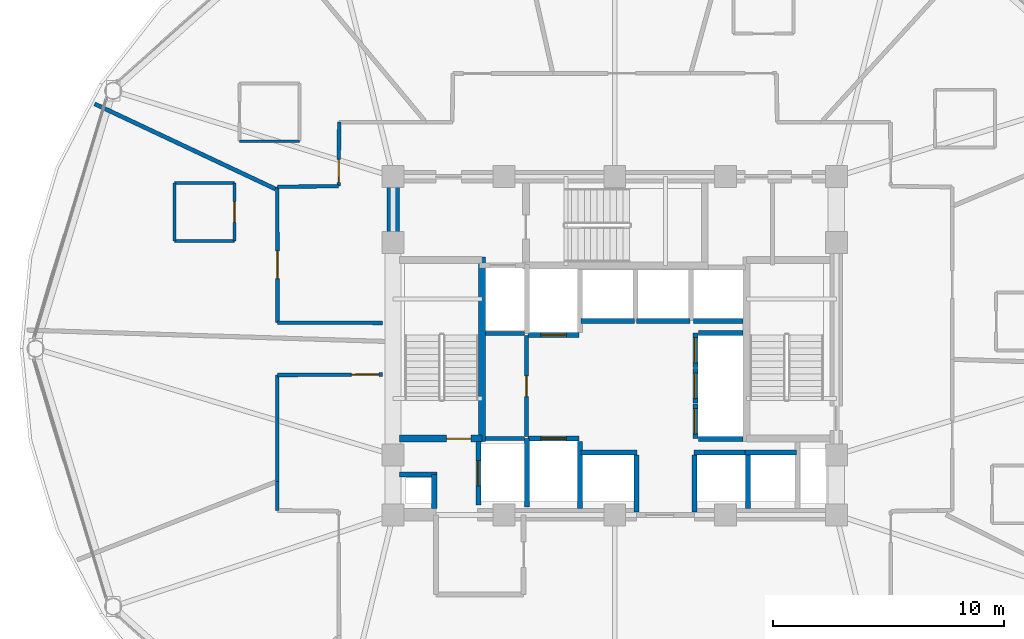
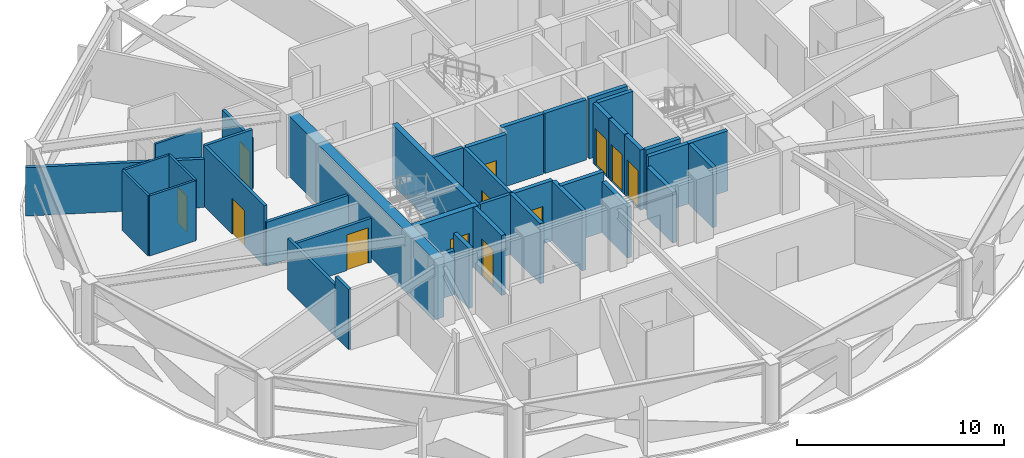
# One storey, part 24 of 30: 40 walls, 12 doors, 12 openings.
"""IFC4 building model written with IfcOpenShell, lengths in metres."""

from ifc_helpers import new_model, si_unit, direction, frame, frame_2d, origin, place, context, subcontext, project, spatial, rectangle, extrude, material, layer, layer_set, type_object, element, fill, save


model = new_model("IFC4")

# Units and contexts
model_context = context("Model", 3, precision=1e-05, world=origin(), true_north=direction((0.0, 1.0)))
body_context = subcontext(model_context, "Body", "Model", "MODEL_VIEW")
ifc_project = project(units=[si_unit("LENGTHUNIT", "METRE"), si_unit("AREAUNIT", "SQUARE_METRE"), si_unit("VOLUMEUNIT", "CUBIC_METRE"), si_unit("PLANEANGLEUNIT", "RADIAN"), si_unit("MASSUNIT", "GRAM", prefix="KILO")], contexts=[model_context])

# Site, building, storey
site_placement = place(None, origin())
site = spatial("IfcSite", under=ifc_project, at=site_placement, CompositionType="ELEMENT")
building_placement = place(site_placement, origin())
building = spatial("IfcBuilding", under=site, at=building_placement, Name="Vantalir Tower", CompositionType="ELEMENT")
storey_placement = place(building_placement, frame((0.0, 0.0, 130.949951171875)))
storey = spatial("IfcBuildingStorey", under=building, at=storey_placement, Name="L32", CompositionType="ELEMENT", Elevation=130.949951171875)

# Walls
ifc_material_1 = material(Name="Moisture-resistant en-suite partition", Category="gypsum")
ifc_layer_1 = layer(ifc_material_1, 0.125)
ifc_layer_set_1 = layer_set([ifc_layer_1], Name="Moisture-resistant en-suite partition")
wall_type_1 = type_object("IfcWallType", Name="WL-BATH-125", PredefinedType="PARTITIONING", material=ifc_layer_set_1)
wall_1_placement = place(storey_placement, frame((15.239990234375, 33.988037109375, 0.0), z_axis=(0.0, 0.0, 1.0), x_axis=(1.0, 0.0, 0.0)))
element("IfcWall", 1, at=wall_1_placement, inside=storey, type_object=wall_type_1, Name="L32 En-suite 05 South Wall", PredefinedType="PARTITIONING", context=body_context, shape_type="SweptSolid", body=[
    extrude(rectangle(XDim=2.60009765625, YDim=0.125, at=frame_2d((1.300048828125, 0.0))), origin(), (0.0, 0.0, 1.0), 3.006103515625),
])
for number, where, z_axis, x_axis, name in (
    (2, (12.425048828125, 29.672119140625, 0.0), (0.0, 0.0, 1.0), (1.0, 0.0, 0.0), "L32 En-suite 06 South Wall"),
    (3, (12.425048828125, 32.172119140625, 0.0), (0.0, 0.0, 1.0), (1.0, 0.0, 0.0), "L32 En-suite 06 North Wall"),
):
    element("IfcWall", number, at=place(storey_placement, frame(where, z_axis=z_axis, x_axis=x_axis)), inside=storey, type_object=wall_type_1, Name=name, PredefinedType="PARTITIONING", context=body_context, shape_type="SweptSolid", body=[
        extrude(rectangle(XDim=2.599853515625, YDim=0.125, at=frame_2d((1.2998046875, 0.0))), origin(), (0.0, 0.0, 1.0), 3.550048828125),
    ])
wall_2_placement = place(storey_placement, frame((12.425048828125, 29.672119140625, 0.0), z_axis=(0.0, 0.0, 1.0), x_axis=(0.0, 1.0, 0.0)))
element("IfcWall", 4, at=wall_2_placement, inside=storey, type_object=wall_type_1, Name="L32 En-suite 06 West Wall", PredefinedType="PARTITIONING", context=body_context, shape_type="SweptSolid", body=[
    extrude(rectangle(XDim=2.5, YDim=0.125, at=frame_2d((1.25, 0.0))), origin(), (0.0, 0.0, 1.0), 3.550048828125),
])

# Wall, opening, door
wall_3_placement = place(storey_placement, frame((15.02490234375, 29.672119140625, 0.0), z_axis=(0.0, 0.0, 1.0), x_axis=(0.0, 1.0, 0.0)))
wall_3 = element("IfcWall", 5, at=wall_3_placement, inside=storey, type_object=wall_type_1, Name="L32 En-suite 06 East Wall", PredefinedType="PARTITIONING", context=body_context, shape_type="SweptSolid", body=[
    extrude(rectangle(XDim=2.5, YDim=0.125, at=frame_2d((1.25, 0.0))), origin(), (0.0, 0.0, 1.0), 3.550048828125),
])
opening_1_placement = place(wall_3_placement, frame((0.800048828125, 0.0, 0.0)))
opening_1 = element("IfcOpeningElement", 6, at=opening_1_placement, cuts=wall_3, Name="Opening D-WC", PredefinedType="OPENING", context=body_context, shape_type="SweptSolid", body=[
    extrude(rectangle(XDim=0.89990234375, YDim=2.10009765625, at=frame_2d((0.449951171875, 1.050048828125))), frame((0.0, 0.072509765625, 0.0), z_axis=(0.0, -1.0, 0.0), x_axis=(1.0, 0.0, 0.0)), (0.0, 0.0, 1.0), 0.14501953125),
])
ifc_material_2 = material(Name="Moisture-resistant hardwood door", Category="wood")
door_type_1 = type_object("IfcDoorType", Name="DR-ENSUITE-900", OperationType="NOTDEFINED", PredefinedType="DOOR", material=ifc_material_2)
door_1_placement = place(opening_1_placement, origin())
door_1 = element("IfcDoor", 7, at=door_1_placement, inside=storey, type_object=door_type_1, Name="L32 En-suite 06 Door", OperationType="SINGLE_SWING_LEFT", OverallHeight=2.10009765625, OverallWidth=0.89990234375, PredefinedType="DOOR", context=body_context, shape_type="SweptSolid", body=[
    extrude(rectangle(XDim=0.89990234375, YDim=2.10009765625, at=frame_2d((0.449951171875, 1.050048828125))), frame((0.0, 0.02490234375, 0.0), z_axis=(0.0, -1.0, 0.0), x_axis=(1.0, 0.0, 0.0)), (0.0, 0.0, 1.0), 0.050048828125),
])
fill(opening_1, door_1)

# Walls
ifc_material_3 = material(Name="Concrete C60/75", Category="concrete")
ifc_layer_2 = layer(ifc_material_3, 0.550048828125)
ifc_layer_set_2 = layer_set([ifc_layer_2], Name="Concrete C60/75")
wall_type_2 = type_object("IfcWallType", Name="WL-CORE-550", PredefinedType="SHEAR", material=ifc_layer_set_2)
wall_4_placement = place(storey_placement, frame((21.89990234375, 18.074951171875, 0.0), z_axis=(0.0, 0.0, 1.0), x_axis=(0.0, 1.0, 0.0)))
element("IfcWall", 8, at=wall_4_placement, inside=storey, type_object=wall_type_2, Name="L32 Core Shear Wall West", PredefinedType="SHEAR", context=body_context, shape_type="SweptSolid", body=[
    extrude(rectangle(XDim=14.10009765625, YDim=0.550048828125, at=frame_2d((7.050048828125, 0.0))), origin(), (0.0, 0.0, 1.0), 3.570068359375),
])
ifc_material_4 = material(Name="Fire-rated hotel corridor acoustic partition", Category="gypsum")
ifc_layer_3 = layer(ifc_material_4, 0.159912109375)
ifc_layer_set_3 = layer_set([ifc_layer_3], Name="Fire-rated hotel corridor acoustic partition")
wall_type_3 = type_object("IfcWallType", Name="WL-CORR-160", PredefinedType="PARTITIONING", material=ifc_layer_set_3)
wall_5_placement = place(storey_placement, frame((21.445068359375, 26.114990234375, 0.0), z_axis=(0.0, 0.0, 1.0), x_axis=(-0.999997586653, 0.002196972514, 0.0)))
element("IfcWall", 9, at=wall_5_placement, inside=storey, type_object=wall_type_3, Name="L32 Corridor Partition 01", PredefinedType="PARTITIONING", context=body_context, shape_type="SweptSolid", body=[
    extrude(rectangle(XDim=4.55615234375, YDim=0.159912109375, at=frame_2d((2.278076171875, 0.0))), origin(), (0.0, 0.0, 1.0), 2.594970703125),
])

# Wall, opening, door
wall_6_placement = place(storey_placement, frame((16.888916015625, 26.125, 0.0), z_axis=(0.0, 0.0, 1.0), x_axis=(-0.00116119857, 0.999999325809, 0.0)))
wall_6 = element("IfcWall", 10, at=wall_6_placement, inside=storey, type_object=wall_type_3, Name="L32 Corridor Partition 02", PredefinedType="PARTITIONING", context=body_context, shape_type="SweptSolid", body=[
    extrude(rectangle(XDim=5.886962890625, YDim=0.159912109375, at=frame_2d((2.943359375, 0.0))), origin(), (0.0, 0.0, 1.0), 3.550048828125),
])
opening_2_placement = place(wall_6_placement, frame((1.906982421875, 0.0, 0.0)))
opening_2 = element("IfcOpeningElement", 11, at=opening_2_placement, cuts=wall_6, Name="Opening D-STE", PredefinedType="OPENING", context=body_context, shape_type="SweptSolid", body=[
    extrude(rectangle(XDim=1.199951171875, YDim=2.10009765625, at=frame_2d((0.60009765625, 1.050048828125))), frame((0.0, 0.08984375, 0.0), z_axis=(0.0, -1.0, 0.0), x_axis=(1.0, 0.0, 0.0)), (0.0, 0.0, 1.0), 0.179931640625),
])
ifc_material_5 = material(Name="Solid-core teak veneer suite entrance door", Category="wood")
door_type_2 = type_object("IfcDoorType", Name="DR-SUITE-ENTRY-1200", OperationType="NOTDEFINED", PredefinedType="DOOR", material=ifc_material_5)
door_2_placement = place(opening_2_placement, origin())
door_2 = element("IfcDoor", 12, at=door_2_placement, inside=storey, type_object=door_type_2, Name="L32 Corner Panorama Hotel Suite 06 Door", OperationType="SINGLE_SWING_LEFT", OverallHeight=2.10009765625, OverallWidth=1.199951171875, PredefinedType="DOOR", context=body_context, shape_type="SweptSolid", body=[
    extrude(rectangle(XDim=1.199951171875, YDim=2.10009765625, at=frame_2d((0.60009765625, 1.050048828125))), frame((0.0, 0.02490234375, 0.0), z_axis=(0.0, -1.0, 0.0), x_axis=(1.0, 0.0, 0.0)), (0.0, 0.0, 1.0), 0.050048828125),
])
fill(opening_2, door_2)

# Wall
wall_7_placement = place(storey_placement, frame((16.882080078125, 32.011962890625, 0.0), z_axis=(0.0, 0.0, 1.0), x_axis=(0.999943999771, 0.010582878702, 0.0)))
element("IfcWall", 13, at=wall_7_placement, inside=storey, type_object=wall_type_3, Name="L32 Corridor Partition 03", PredefinedType="PARTITIONING", context=body_context, shape_type="SweptSolid", body=[
    extrude(rectangle(XDim=2.653076171875, YDim=0.159912109375, at=frame_2d((1.32666015625, 0.0))), origin(), (0.0, 0.0, 1.0), 3.550048828125),
])

# Wall, opening, door
wall_8_placement = place(storey_placement, frame((19.534912109375, 32.0400390625, 0.0), z_axis=(0.0, 0.0, 1.0), x_axis=(0.009071319538, 0.999958854734, 0.0)))
wall_8 = element("IfcWall", 14, at=wall_8_placement, inside=storey, type_object=wall_type_3, Name="L32 Corridor Partition 04", PredefinedType="PARTITIONING", context=body_context, shape_type="SweptSolid", body=[
    extrude(rectangle(XDim=2.77197265625, YDim=0.159912109375, at=frame_2d((1.385986328125, 0.0))), origin(), (0.0, 0.0, 1.0), 3.006103515625),
])
opening_3_placement = place(wall_8_placement, frame((0.159912109375, 0.0, 0.0)))
opening_3 = element("IfcOpeningElement", 15, at=opening_3_placement, cuts=wall_8, Name="Opening D-GUEST", PredefinedType="OPENING", context=body_context, shape_type="SweptSolid", body=[
    extrude(rectangle(XDim=1.0, YDim=2.10009765625, at=frame_2d((0.5, 1.050048828125))), frame((0.0, 0.08984375, 0.0), z_axis=(0.0, -1.0, 0.0), x_axis=(1.0, 0.0, 0.0)), (0.0, 0.0, 1.0), 0.179931640625),
])
ifc_material_6 = material(Name="Solid-core teak veneer acoustic fire door", Category="wood")
door_type_3 = type_object("IfcDoorType", Name="DR-GUEST-ENTRY-1000", OperationType="NOTDEFINED", PredefinedType="DOOR", material=ifc_material_6)
door_3_placement = place(opening_3_placement, origin())
door_3 = element("IfcDoor", 16, at=door_3_placement, inside=storey, type_object=door_type_3, Name="L32 Twin Queen Hotel Room 05 Door", OperationType="SINGLE_SWING_RIGHT", OverallHeight=2.10009765625, OverallWidth=1.0, PredefinedType="DOOR", context=body_context, shape_type="SweptSolid", body=[
    extrude(rectangle(XDim=1.0, YDim=2.10009765625, at=frame_2d((0.5, 1.050048828125))), frame((0.0, 0.02490234375, 0.0), z_axis=(0.0, -1.0, 0.0), x_axis=(1.0, 0.0, 0.0)), (0.0, 0.0, 1.0), 0.050048828125),
])
fill(opening_3, door_3)

# Walls
wall_9_placement = place(storey_placement, frame((16.881103515625, 17.991943359375, 0.0), z_axis=(0.0, 0.0, 1.0), x_axis=(0.0, 1.0, 0.0)))
element("IfcWall", 17, at=wall_9_placement, inside=storey, type_object=wall_type_3, Name="L32 Corridor Partition 29", PredefinedType="PARTITIONING", context=body_context, shape_type="SweptSolid", body=[
    extrude(rectangle(XDim=1.260986328125, YDim=0.159912109375, at=frame_2d((0.63037109375, 0.0))), origin(), (0.0, 0.0, 1.0), 3.550048828125),
])
wall_10_placement = place(storey_placement, frame((16.881103515625, 19.2529296875, 0.0), z_axis=(0.0, 0.0, 1.0), x_axis=(0.0, 1.0, 0.0)))
element("IfcWall", 18, at=wall_10_placement, inside=storey, type_object=wall_type_3, Name="L32 Corridor Partition 30", PredefinedType="PARTITIONING", context=body_context, shape_type="SweptSolid", body=[
    extrude(rectangle(XDim=4.60498046875, YDim=0.159912109375, at=frame_2d((2.302490234375, 0.0))), origin(), (0.0, 0.0, 1.0), 3.006103515625),
])

# Wall, opening, door
wall_11_placement = place(storey_placement, frame((16.881103515625, 23.85791015625, 0.0), z_axis=(0.0, 0.0, 1.0), x_axis=(0.999983619679, 0.005723667878, 0.0)))
wall_11 = element("IfcWall", 19, at=wall_11_placement, inside=storey, type_object=wall_type_3, Name="L32 Corridor Partition 31", PredefinedType="PARTITIONING", context=body_context, shape_type="SweptSolid", body=[
    extrude(rectangle(XDim=4.56396484375, YDim=0.159912109375, at=frame_2d((2.281982421875, 0.0))), origin(), (0.0, 0.0, 1.0), 2.594970703125),
])
opening_4_placement = place(wall_11_placement, frame((3.2041015625, 0.0, 0.0)))
opening_4 = element("IfcOpeningElement", 20, at=opening_4_placement, cuts=wall_11, Name="Opening D-STE", PredefinedType="OPENING", context=body_context, shape_type="SweptSolid", body=[
    extrude(rectangle(XDim=1.199951171875, YDim=2.10009765625, at=frame_2d((0.60009765625, 1.050048828125))), frame((0.0, 0.08984375, 0.0), z_axis=(0.0, -1.0, 0.0), x_axis=(1.0, 0.0, 0.0)), (0.0, 0.0, 1.0), 0.179931640625),
])
door_4_placement = place(opening_4_placement, origin())
door_4 = element("IfcDoor", 21, at=door_4_placement, inside=storey, type_object=door_type_2, Name="L32 Executive Sky Boardroom 07 Door", OperationType="SINGLE_SWING_RIGHT", OverallHeight=2.10009765625, OverallWidth=1.199951171875, PredefinedType="DOOR", context=body_context, shape_type="SweptSolid", body=[
    extrude(rectangle(XDim=1.199951171875, YDim=2.10009765625, at=frame_2d((0.60009765625, 1.050048828125))), frame((0.0, 0.02490234375, 0.0), z_axis=(0.0, -1.0, 0.0), x_axis=(1.0, 0.0, 0.0)), (0.0, 0.0, 1.0), 0.050048828125),
])
fill(opening_4, door_4)

# Walls
ifc_material_7 = material(Name="Concrete blockwork with fireboard lining", Category="masonry")
ifc_layer_4 = layer(ifc_material_7, 0.219970703125)
ifc_layer_set_4 = layer_set([ifc_layer_4], Name="Concrete blockwork with fireboard lining")
wall_type_4 = type_object("IfcWallType", Name="WL-FFL-220", PredefinedType="PARTITIONING", material=ifc_layer_set_4)
wall_12_placement = place(storey_placement, frame((30.0, 18.080078125, 0.0), z_axis=(0.0, 0.0, 1.0), x_axis=(0.0, 1.0, 0.0)))
element("IfcWall", 22, at=wall_12_placement, inside=storey, type_object=wall_type_4, Name="L32 Service Lift SV1 East Shaft Wall", PredefinedType="PARTITIONING", context=body_context, shape_type="SweptSolid", body=[
    extrude(rectangle(XDim=2.89990234375, YDim=0.219970703125, at=frame_2d((1.449951171875, 0.0))), origin(), (0.0, 0.0, 1.0), 3.545166015625),
])
for number, where, z_axis, x_axis, name in (
    (23, (32.449951171875, 17.919921875, 0.0), (0.0, 0.0, 1.0), (0.0, 1.0, 0.0), "L32 Shuttle Lift PL-X1 East Shaft Cheek"),
    (24, (34.949951171875, 17.919921875, 0.0), (0.0, 0.0, 1.0), (0.0, 1.0, 0.0), "L32 Shuttle Lift PL-X3 West Shaft Cheek"),
):
    element("IfcWall", number, at=place(storey_placement, frame(where, z_axis=z_axis, x_axis=x_axis)), inside=storey, type_object=wall_type_4, Name=name, PredefinedType="PARTITIONING", context=body_context, shape_type="SweptSolid", body=[
        extrude(rectangle(XDim=2.469970703125, YDim=0.219970703125, at=frame_2d((1.23486328125, 0.0))), origin(), (0.0, 0.0, 1.0), 3.006103515625),
    ])
wall_13_placement = place(storey_placement, frame((37.27490234375, 18.080078125, 0.0), z_axis=(0.0, 0.0, 1.0), x_axis=(0.0, 1.0, 0.0)))
element("IfcWall", 25, at=wall_13_placement, inside=storey, type_object=wall_type_4, Name="L32 Shuttle Lift PL-X2/X3 Shaft Divider", PredefinedType="PARTITIONING", context=body_context, shape_type="SweptSolid", body=[
    extrude(rectangle(XDim=2.309814453125, YDim=0.219970703125, at=frame_2d((1.15478515625, 0.0))), origin(), (0.0, 0.0, 1.0), 3.545166015625),
])
wall_14_placement = place(storey_placement, frame((34.909912109375, 26.18994140625, 0.0), z_axis=(0.0, 0.0, 1.0), x_axis=(1.0, 0.0, 0.0)))
element("IfcWall", 26, at=wall_14_placement, inside=storey, type_object=wall_type_4, Name="L32 High-Rise Lift PL-H3 Rear Shaft Wall", PredefinedType="PARTITIONING", context=body_context, shape_type="SweptSolid", body=[
    extrude(rectangle(XDim=2.14013671875, YDim=0.219970703125, at=frame_2d((1.070068359375, 0.0))), origin(), (0.0, 0.0, 1.0), 3.545166015625),
])
wall_15_placement = place(storey_placement, frame((23.679931640625, 18.074951171875, 0.0), z_axis=(0.0, 0.0, 1.0), x_axis=(0.0, 1.0, 0.0)))
element("IfcWall", 27, at=wall_15_placement, inside=storey, type_object=wall_type_4, Name="L32 West MEP Riser Wall E", PredefinedType="PARTITIONING", context=body_context, shape_type="SweptSolid", body=[
    extrude(rectangle(XDim=1.47509765625, YDim=0.219970703125, at=frame_2d((0.737548828125, 0.0))), origin(), (0.0, 0.0, 1.0), 3.550048828125),
])
wall_16_placement = place(storey_placement, frame((22.175048828125, 19.550048828125, 0.0), z_axis=(0.0, 0.0, 1.0), x_axis=(1.0, 0.0, 0.0)))
element("IfcWall", 28, at=wall_16_placement, inside=storey, type_object=wall_type_4, Name="L32 West MEP Riser Wall N", PredefinedType="PARTITIONING", context=body_context, shape_type="SweptSolid", body=[
    extrude(rectangle(XDim=1.614990234375, YDim=0.219970703125, at=frame_2d((0.8076171875, 0.0))), origin(), (0.0, 0.0, 1.0), 2.594970703125),
])

# Wall, opening, door
wall_17_placement = place(storey_placement, frame((25.590087890625, 18.219970703125, 0.0), z_axis=(0.0, 0.0, 1.0), x_axis=(0.0, 1.0, 0.0)))
wall_17 = element("IfcWall", 29, at=wall_17_placement, inside=storey, type_object=wall_type_4, Name="L32 Lift FL1 Shaft Front Wall", PredefinedType="PARTITIONING", context=body_context, shape_type="SweptSolid", body=[
    extrude(rectangle(XDim=2.760009765625, YDim=0.219970703125, at=frame_2d((1.3798828125, 0.0))), origin(), (0.0, 0.0, 1.0), 3.550048828125),
])
opening_5_placement = place(wall_17_placement, frame((0.830078125, 0.0, 0.0)))
opening_5 = element("IfcOpeningElement", 30, at=opening_5_placement, cuts=wall_17, Name="Opening LD-FL1", PredefinedType="OPENING", context=body_context, shape_type="SweptSolid", body=[
    extrude(rectangle(XDim=1.10009765625, YDim=2.199951171875, at=frame_2d((0.550048828125, 1.10009765625))), frame((0.0, 0.119873046875, 0.0), z_axis=(0.0, -1.0, 0.0), x_axis=(1.0, 0.0, 0.0)), (0.0, 0.0, 1.0), 0.239990234375),
])
ifc_material_8 = material(Name="Brushed stainless-steel sliding lift landing door", Category="steel")
door_type_4 = type_object("IfcDoorType", Name="DR-LIFT-LANDING-1100", OperationType="DOUBLE_DOOR_SLIDING", PredefinedType="DOOR", material=ifc_material_8)
door_5_placement = place(opening_5_placement, origin())
door_5 = element("IfcDoor", 31, at=door_5_placement, inside=storey, type_object=door_type_4, Name="L32 Lift Landing Door FL1", OperationType="DOUBLE_DOOR_SLIDING", OverallHeight=2.199951171875, OverallWidth=1.10009765625, PredefinedType="DOOR", context=body_context, shape_type="SweptSolid", body=[
    extrude(rectangle(XDim=1.10009765625, YDim=2.199951171875, at=frame_2d((0.550048828125, 1.10009765625))), frame((0.0, 0.02490234375, 0.0), z_axis=(0.0, -1.0, 0.0), x_axis=(1.0, 0.0, 0.0)), (0.0, 0.0, 1.0), 0.050048828125),
])
fill(opening_5, door_5)

wall_18_placement = place(storey_placement, frame((27.739990234375, 21.110107421875, 0.0), z_axis=(0.0, 0.0, 1.0), x_axis=(1.0, 0.0, 0.0)))
wall_18 = element("IfcWall", 32, at=wall_18_placement, inside=storey, type_object=wall_type_4, Name="L32 Lift SV1 Shaft Front Wall", PredefinedType="PARTITIONING", context=body_context, shape_type="SweptSolid", body=[
    extrude(rectangle(XDim=2.219970703125, YDim=0.219970703125, at=frame_2d((1.10986328125, 0.0))), origin(), (0.0, 0.0, 1.0), 3.550048828125),
])
opening_6_placement = place(wall_18_placement, frame((0.56005859375, 0.0, 0.0)))
opening_6 = element("IfcOpeningElement", 33, at=opening_6_placement, cuts=wall_18, Name="Opening LD-SV1", PredefinedType="OPENING", context=body_context, shape_type="SweptSolid", body=[
    extrude(rectangle(XDim=1.10009765625, YDim=2.199951171875, at=frame_2d((0.550048828125, 1.10009765625))), frame((0.0, 0.119873046875, 0.0), z_axis=(0.0, -1.0, 0.0), x_axis=(1.0, 0.0, 0.0)), (0.0, 0.0, 1.0), 0.239990234375),
])
door_6_placement = place(opening_6_placement, origin())
door_6 = element("IfcDoor", 34, at=door_6_placement, inside=storey, type_object=door_type_4, Name="L32 Lift Landing Door SV1", OperationType="DOUBLE_DOOR_SLIDING", OverallHeight=2.199951171875, OverallWidth=1.10009765625, PredefinedType="DOOR", context=body_context, shape_type="SweptSolid", body=[
    extrude(rectangle(XDim=1.10009765625, YDim=2.199951171875, at=frame_2d((0.550048828125, 1.10009765625))), frame((0.0, 0.02490234375, 0.0), z_axis=(0.0, -1.0, 0.0), x_axis=(1.0, 0.0, 0.0)), (0.0, 0.0, 1.0), 0.050048828125),
])
fill(opening_6, door_6)

wall_19_placement = place(storey_placement, frame((27.739990234375, 25.590087890625, 0.0), z_axis=(0.0, 0.0, 1.0), x_axis=(1.0, 0.0, 0.0)))
wall_19 = element("IfcWall", 35, at=wall_19_placement, inside=storey, type_object=wall_type_4, Name="L32 Lift SV2 Shaft Front Wall", PredefinedType="PARTITIONING", context=body_context, shape_type="SweptSolid", body=[
    extrude(rectangle(XDim=2.219970703125, YDim=0.219970703125, at=frame_2d((1.10986328125, 0.0))), origin(), (0.0, 0.0, 1.0), 3.550048828125),
])
opening_7_placement = place(wall_19_placement, frame((0.56005859375, 0.0, 0.0)))
opening_7 = element("IfcOpeningElement", 36, at=opening_7_placement, cuts=wall_19, Name="Opening LD-SV2", PredefinedType="OPENING", context=body_context, shape_type="SweptSolid", body=[
    extrude(rectangle(XDim=1.10009765625, YDim=2.199951171875, at=frame_2d((0.550048828125, 1.10009765625))), frame((0.0, 0.119873046875, 0.0), z_axis=(0.0, -1.0, 0.0), x_axis=(1.0, 0.0, 0.0)), (0.0, 0.0, 1.0), 0.239990234375),
])
door_7_placement = place(opening_7_placement, frame((1.10009765625, 0.0, 0.0), z_axis=(0.0, 0.0, 1.0), x_axis=(-1.0, 0.0, 0.0)))
door_7 = element("IfcDoor", 37, at=door_7_placement, inside=storey, type_object=door_type_4, Name="L32 Lift Landing Door SV2", OperationType="DOUBLE_DOOR_SLIDING", OverallHeight=2.199951171875, OverallWidth=1.10009765625, PredefinedType="DOOR", context=body_context, shape_type="SweptSolid", body=[
    extrude(rectangle(XDim=1.10009765625, YDim=2.199951171875, at=frame_2d((0.550048828125, 1.10009765625))), frame((0.0, 0.02490234375, 0.0), z_axis=(0.0, -1.0, 0.0), x_axis=(1.0, 0.0, 0.0)), (0.0, 0.0, 1.0), 0.050048828125),
])
fill(opening_7, door_7)

# Walls
wall_20_placement = place(storey_placement, frame((30.0400390625, 20.510009765625, 0.0), z_axis=(0.0, 0.0, 1.0), x_axis=(1.0, 0.0, 0.0)))
element("IfcWall", 38, at=wall_20_placement, inside=storey, type_object=wall_type_4, Name="L32 Lift PL-X1 Shaft Front Wall", PredefinedType="PARTITIONING", context=body_context, shape_type="SweptSolid", body=[
    extrude(rectangle(XDim=2.419921875, YDim=0.219970703125, at=frame_2d((1.2099609375, 0.0))), origin(), (0.0, 0.0, 1.0), 3.550048828125),
])
for number, where, z_axis, x_axis, name in (
    (39, (37.139892578125, 20.510009765625, 0.0), (0.0, 0.0, 1.0), (1.0, 0.0, 0.0), "L32 Lift PL-X2 Shaft Rear Wall"),
    (40, (34.93994140625, 20.510009765625, 0.0), (0.0, 0.0, 1.0), (1.0, 0.0, 0.0), "L32 Lift PL-X3 Shaft Front Wall"),
):
    element("IfcWall", number, at=place(storey_placement, frame(where, z_axis=z_axis, x_axis=x_axis)), inside=storey, type_object=wall_type_4, Name=name, PredefinedType="PARTITIONING", context=body_context, shape_type="SweptSolid", body=[
        extrude(rectangle(XDim=2.239990234375, YDim=0.219970703125, at=frame_2d((1.1201171875, 0.0))), origin(), (0.0, 0.0, 1.0), 3.550048828125),
    ])
for number, where, z_axis, x_axis, name in (
    (41, (30.0400390625, 26.18994140625, 0.0), (0.0, 0.0, 1.0), (1.0, 0.0, 0.0), "L32 Lift PL-H1 Shaft Front Wall"),
    (42, (32.43994140625, 26.18994140625, 0.0), (0.0, 0.0, 1.0), (1.0, 0.0, 0.0), "L32 Lift PL-H2 Shaft Front Wall"),
):
    element("IfcWall", number, at=place(storey_placement, frame(where, z_axis=z_axis, x_axis=x_axis)), inside=storey, type_object=wall_type_4, Name=name, PredefinedType="PARTITIONING", context=body_context, shape_type="SweptSolid", body=[
        extrude(rectangle(XDim=2.320068359375, YDim=0.219970703125, at=frame_2d((1.16015625, 0.0))), origin(), (0.0, 0.0, 1.0), 3.550048828125),
    ])

# Wall, opening, door
wall_21_placement = place(storey_placement, frame((34.989990234375, 21.10009765625, 0.0), z_axis=(0.0, 0.0, 1.0), x_axis=(0.0, 1.0, 0.0)))
wall_21 = element("IfcWall", 43, at=wall_21_placement, inside=storey, type_object=wall_type_4, Name="L32 Lift PL-M1 Shaft Front Wall", PredefinedType="PARTITIONING", context=body_context, shape_type="SweptSolid", body=[
    extrude(rectangle(XDim=1.5, YDim=0.219970703125, at=frame_2d((0.75, 0.0))), origin(), (0.0, 0.0, 1.0), 3.550048828125),
])
opening_8_placement = place(wall_21_placement, frame((0.199951171875, 0.0, 0.0)))
opening_8 = element("IfcOpeningElement", 44, at=opening_8_placement, cuts=wall_21, Name="Opening LD-PL-M1", PredefinedType="OPENING", context=body_context, shape_type="SweptSolid", body=[
    extrude(rectangle(XDim=1.10009765625, YDim=2.199951171875, at=frame_2d((0.550048828125, 1.10009765625))), frame((0.0, 0.119873046875, 0.0), z_axis=(0.0, -1.0, 0.0), x_axis=(1.0, 0.0, 0.0)), (0.0, 0.0, 1.0), 0.239990234375),
])
door_8_placement = place(opening_8_placement, origin())
door_8 = element("IfcDoor", 45, at=door_8_placement, inside=storey, type_object=door_type_4, Name="L32 Lift Landing Door PL-M1", OperationType="DOUBLE_DOOR_SLIDING", OverallHeight=2.199951171875, OverallWidth=1.10009765625, PredefinedType="DOOR", context=body_context, shape_type="SweptSolid", body=[
    extrude(rectangle(XDim=1.10009765625, YDim=2.199951171875, at=frame_2d((0.550048828125, 1.10009765625))), frame((0.0, 0.02490234375, 0.0), z_axis=(0.0, -1.0, 0.0), x_axis=(1.0, 0.0, 0.0)), (0.0, 0.0, 1.0), 0.050048828125),
])
fill(opening_8, door_8)

wall_22_placement = place(storey_placement, frame((34.989990234375, 22.639892578125, 0.0), z_axis=(0.0, 0.0, 1.0), x_axis=(0.0, 1.0, 0.0)))
wall_22 = element("IfcWall", 46, at=wall_22_placement, inside=storey, type_object=wall_type_4, Name="L32 Lift PL-M2 Shaft Front Wall", PredefinedType="PARTITIONING", context=body_context, shape_type="SweptSolid", body=[
    extrude(rectangle(XDim=1.5, YDim=0.219970703125, at=frame_2d((0.75, 0.0))), origin(), (0.0, 0.0, 1.0), 3.550048828125),
])
opening_9_placement = place(wall_22_placement, frame((0.199951171875, 0.0, 0.0)))
opening_9 = element("IfcOpeningElement", 47, at=opening_9_placement, cuts=wall_22, Name="Opening LD-PL-M2", PredefinedType="OPENING", context=body_context, shape_type="SweptSolid", body=[
    extrude(rectangle(XDim=1.10009765625, YDim=2.199951171875, at=frame_2d((0.550048828125, 1.10009765625))), frame((0.0, 0.119873046875, 0.0), z_axis=(0.0, -1.0, 0.0), x_axis=(1.0, 0.0, 0.0)), (0.0, 0.0, 1.0), 0.239990234375),
])
door_9_placement = place(opening_9_placement, origin())
door_9 = element("IfcDoor", 48, at=door_9_placement, inside=storey, type_object=door_type_4, Name="L32 Lift Landing Door PL-M2", OperationType="DOUBLE_DOOR_SLIDING", OverallHeight=2.199951171875, OverallWidth=1.10009765625, PredefinedType="DOOR", context=body_context, shape_type="SweptSolid", body=[
    extrude(rectangle(XDim=1.10009765625, YDim=2.199951171875, at=frame_2d((0.550048828125, 1.10009765625))), frame((0.0, 0.02490234375, 0.0), z_axis=(0.0, -1.0, 0.0), x_axis=(1.0, 0.0, 0.0)), (0.0, 0.0, 1.0), 0.050048828125),
])
fill(opening_9, door_9)

wall_23_placement = place(storey_placement, frame((34.989990234375, 24.179931640625, 0.0), z_axis=(0.0, 0.0, 1.0), x_axis=(0.0, 1.0, 0.0)))
wall_23 = element("IfcWall", 49, at=wall_23_placement, inside=storey, type_object=wall_type_4, Name="L32 Lift PL-M3 Shaft Front Wall", PredefinedType="PARTITIONING", context=body_context, shape_type="SweptSolid", body=[
    extrude(rectangle(XDim=1.5, YDim=0.219970703125, at=frame_2d((0.75, 0.0))), origin(), (0.0, 0.0, 1.0), 3.550048828125),
])
opening_10_placement = place(wall_23_placement, frame((0.199951171875, 0.0, 0.0)))
opening_10 = element("IfcOpeningElement", 50, at=opening_10_placement, cuts=wall_23, Name="Opening LD-PL-M3", PredefinedType="OPENING", context=body_context, shape_type="SweptSolid", body=[
    extrude(rectangle(XDim=1.10009765625, YDim=2.199951171875, at=frame_2d((0.550048828125, 1.10009765625))), frame((0.0, 0.119873046875, 0.0), z_axis=(0.0, -1.0, 0.0), x_axis=(1.0, 0.0, 0.0)), (0.0, 0.0, 1.0), 0.239990234375),
])
door_10_placement = place(opening_10_placement, origin())
door_10 = element("IfcDoor", 51, at=door_10_placement, inside=storey, type_object=door_type_4, Name="L32 Lift Landing Door PL-M3", OperationType="DOUBLE_DOOR_SLIDING", OverallHeight=2.199951171875, OverallWidth=1.10009765625, PredefinedType="DOOR", context=body_context, shape_type="SweptSolid", body=[
    extrude(rectangle(XDim=1.10009765625, YDim=2.199951171875, at=frame_2d((0.550048828125, 1.10009765625))), frame((0.0, 0.02490234375, 0.0), z_axis=(0.0, -1.0, 0.0), x_axis=(1.0, 0.0, 0.0)), (0.0, 0.0, 1.0), 0.050048828125),
])
fill(opening_10, door_10)

# Walls
wall_24_placement = place(storey_placement, frame((27.699951171875, 18.14990234375, 0.0), z_axis=(0.0, 0.0, 1.0), x_axis=(0.0, 1.0, 0.0)))
element("IfcWall", 52, at=wall_24_placement, inside=storey, type_object=wall_type_4, Name="L32 Fire Lift FL1 Dividing Wall", PredefinedType="PARTITIONING", context=body_context, shape_type="SweptSolid", body=[
    extrude(rectangle(XDim=2.9501953125, YDim=0.219970703125, at=frame_2d((1.47509765625, 0.0))), origin(), (0.0, 0.0, 1.0), 3.550048828125),
])
for number, where, z_axis, x_axis, name in (
    (53, (35.1201171875, 21.080078125, 0.0), (0.0, 0.0, 1.0), (1.0, 0.0, 0.0), "L32 Mid-Rise Bank South Wall"),
    (54, (35.1201171875, 25.679931640625, 0.0), (0.0, 0.0, 1.0), (1.0, 0.0, 0.0), "L32 Mid-Rise Bank North Wall"),
):
    element("IfcWall", number, at=place(storey_placement, frame(where, z_axis=z_axis, x_axis=x_axis)), inside=storey, type_object=wall_type_4, Name=name, PredefinedType="PARTITIONING", context=body_context, shape_type="SweptSolid", body=[
        extrude(rectangle(XDim=1.93994140625, YDim=0.219970703125, at=frame_2d((0.969970703125, 0.0))), origin(), (0.0, 0.0, 1.0), 3.550048828125),
    ])
ifc_material_9 = material(Name="Twin-stud acoustic fire-rated gypsum partition", Category="gypsum")
ifc_layer_5 = layer(ifc_material_9, 0.179931640625)
ifc_layer_set_5 = layer_set([ifc_layer_5], Name="Twin-stud acoustic fire-rated gypsum partition")
wall_type_5 = type_object("IfcWallType", Name="WL-GUEST-180", PredefinedType="PARTITIONING", material=ifc_layer_set_5)
for number, where, z_axis, x_axis, name in (
    (55, (25.889892578125, 21.10009765625, 0.0), (0.0, 0.0, 1.0), (1.0, 0.0, 0.0), "L32 Freed West Core South Wall"),
    (56, (25.889892578125, 25.64990234375, 0.0), (0.0, 0.0, 1.0), (1.0, 0.0, 0.0), "L32 Freed West Core North Wall"),
):
    element("IfcWall", number, at=place(storey_placement, frame(where, z_axis=z_axis, x_axis=x_axis)), inside=storey, type_object=wall_type_5, Name=name, PredefinedType="PARTITIONING", context=body_context, shape_type="SweptSolid", body=[
        extrude(rectangle(XDim=1.7001953125, YDim=0.179931640625, at=frame_2d((0.85009765625, 0.0))), origin(), (0.0, 0.0, 1.0), 3.550048828125),
    ])

# Wall, opening, door
wall_25_placement = place(storey_placement, frame((27.679931640625, 21.18994140625, 0.0), z_axis=(0.0, 0.0, 1.0), x_axis=(0.0, 1.0, 0.0)))
wall_25 = element("IfcWall", 57, at=wall_25_placement, inside=storey, type_object=wall_type_5, Name="L32 West Pantry East Wall", PredefinedType="PARTITIONING", context=body_context, shape_type="SweptSolid", body=[
    extrude(rectangle(XDim=4.3701171875, YDim=0.179931640625, at=frame_2d((2.18505859375, 0.0))), origin(), (0.0, 0.0, 1.0), 3.550048828125),
])
opening_11_placement = place(wall_25_placement, frame((1.735107421875, 0.0, 0.0)))
opening_11 = element("IfcOpeningElement", 58, at=opening_11_placement, cuts=wall_25, Name="Opening D-CR", PredefinedType="OPENING", context=body_context, shape_type="SweptSolid", body=[
    extrude(rectangle(XDim=0.89990234375, YDim=2.10009765625, at=frame_2d((0.449951171875, 1.050048828125))), frame((0.0, 0.099853515625, 0.0), z_axis=(0.0, -1.0, 0.0), x_axis=(1.0, 0.0, 0.0)), (0.0, 0.0, 1.0), 0.199951171875),
])
ifc_material_10 = material(Name="Fire-rated steel core service door", Category="steel")
door_type_5 = type_object("IfcDoorType", Name="DR-CORE-SERV-900", OperationType="NOTDEFINED", PredefinedType="DOOR", material=ifc_material_10)
door_11_placement = place(opening_11_placement, origin())
door_11 = element("IfcDoor", 59, at=door_11_placement, inside=storey, type_object=door_type_5, Name="L32 Core Pantry Door", OperationType="SINGLE_SWING_LEFT", OverallHeight=2.10009765625, OverallWidth=0.89990234375, PredefinedType="DOOR", context=body_context, shape_type="SweptSolid", body=[
    extrude(rectangle(XDim=0.89990234375, YDim=2.10009765625, at=frame_2d((0.449951171875, 1.050048828125))), frame((0.0, 0.02490234375, 0.0), z_axis=(0.0, -1.0, 0.0), x_axis=(1.0, 0.0, 0.0)), (0.0, 0.0, 1.0), 0.050048828125),
])
fill(opening_11, door_11)

# Wall
wall_26_placement = place(storey_placement, frame((16.804931640625, 31.916015625, 0.0), z_axis=(0.0, 0.0, 1.0), x_axis=(-0.904814870275, 0.425805179078, 0.0)))
element("IfcWall", 60, at=wall_26_placement, inside=storey, type_object=wall_type_5, Name="L32 Radial Suite Partition 06", PredefinedType="PARTITIONING", context=body_context, shape_type="SweptSolid", body=[
    extrude(rectangle(XDim=8.66357421875, YDim=0.179931640625, at=frame_2d((4.331787109375, 0.0))), origin(), (0.0, 0.0, 1.0), 2.85205078125),
])

# Wall, opening, door
ifc_material_11 = material(Name="Concrete C50/60", Category="concrete")
ifc_layer_6 = layer(ifc_material_11, 0.300048828125)
ifc_layer_set_6 = layer_set([ifc_layer_6], Name="Concrete C50/60")
wall_type_6 = type_object("IfcWallType", Name="WL-STAIR-300", PredefinedType="SHEAR", material=ifc_layer_set_6)
wall_27_placement = place(storey_placement, frame((22.175048828125, 21.10009765625, 0.0), z_axis=(0.0, 0.0, 1.0), x_axis=(1.0, 0.0, 0.0)))
wall_27 = element("IfcWall", 61, at=wall_27_placement, inside=storey, type_object=wall_type_6, Name="L32 Stair ST1 South Wall", PredefinedType="SHEAR", context=body_context, shape_type="SweptSolid", body=[
    extrude(rectangle(XDim=3.56494140625, YDim=0.300048828125, at=frame_2d((1.782470703125, 0.0))), origin(), (0.0, 0.0, 1.0), 3.570068359375),
])
opening_12_placement = place(wall_27_placement, frame((2.044921875, 0.0, 0.0)))
opening_12 = element("IfcOpeningElement", 62, at=opening_12_placement, cuts=wall_27, Name="Opening D-ST", PredefinedType="OPENING", context=body_context, shape_type="SweptSolid", body=[
    extrude(rectangle(XDim=1.050048828125, YDim=2.10009765625, at=frame_2d((0.52490234375, 1.050048828125))), frame((0.0, 0.159912109375, 0.0), z_axis=(0.0, -1.0, 0.0), x_axis=(1.0, 0.0, 0.0)), (0.0, 0.0, 1.0), 0.320068359375),
])
ifc_material_12 = material(Name="Fire-rated steel door leaf", Category="steel")
door_type_6 = type_object("IfcDoorType", Name="DR-FIRE-STAIR-1050", OperationType="NOTDEFINED", PredefinedType="DOOR", material=ifc_material_12)
door_12_placement = place(opening_12_placement, origin())
door_12 = element("IfcDoor", 63, at=door_12_placement, inside=storey, type_object=door_type_6, Name="L32 Exit Stair ST1 Fire Door", OperationType="SINGLE_SWING_LEFT", OverallHeight=2.10009765625, OverallWidth=1.050048828125, PredefinedType="DOOR", context=body_context, shape_type="SweptSolid", body=[
    extrude(rectangle(XDim=1.050048828125, YDim=2.10009765625, at=frame_2d((0.52490234375, 1.050048828125))), frame((0.0, 0.02490234375, 0.0), z_axis=(0.0, -1.0, 0.0), x_axis=(1.0, 0.0, 0.0)), (0.0, 0.0, 1.0), 0.050048828125),
])
fill(opening_12, door_12)

# Wall
wall_28_placement = place(storey_placement, frame((25.739990234375, 20.97998046875, 0.0), z_axis=(0.0, 0.0, 1.0), x_axis=(0.0, 1.0, 0.0)))
element("IfcWall", 64, at=wall_28_placement, inside=storey, type_object=wall_type_6, Name="L32 Stair ST1 East Wall", PredefinedType="SHEAR", context=body_context, shape_type="SweptSolid", body=[
    extrude(rectangle(XDim=7.989990234375, YDim=0.300048828125, at=frame_2d((3.9951171875, 0.0))), origin(), (0.0, 0.0, 1.0), 3.570068359375),
])

save(model, "model.ifc")
